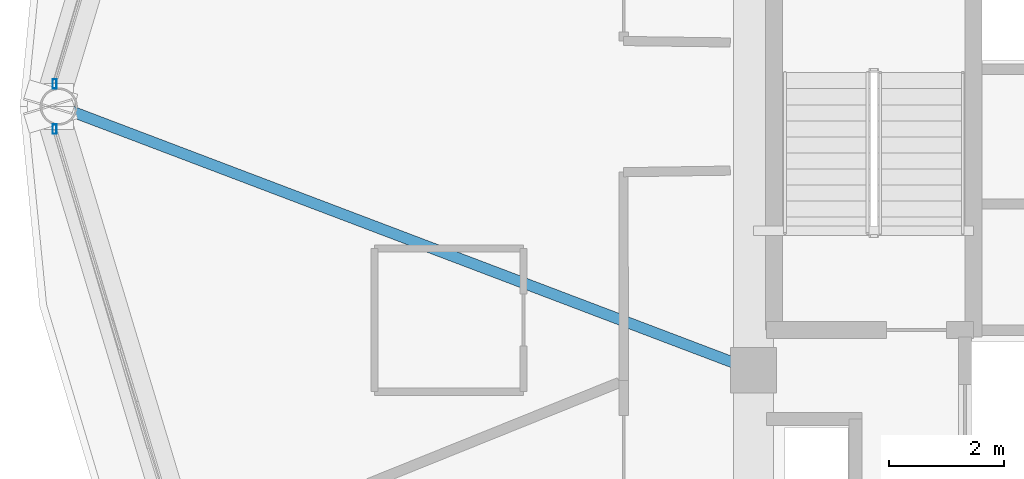
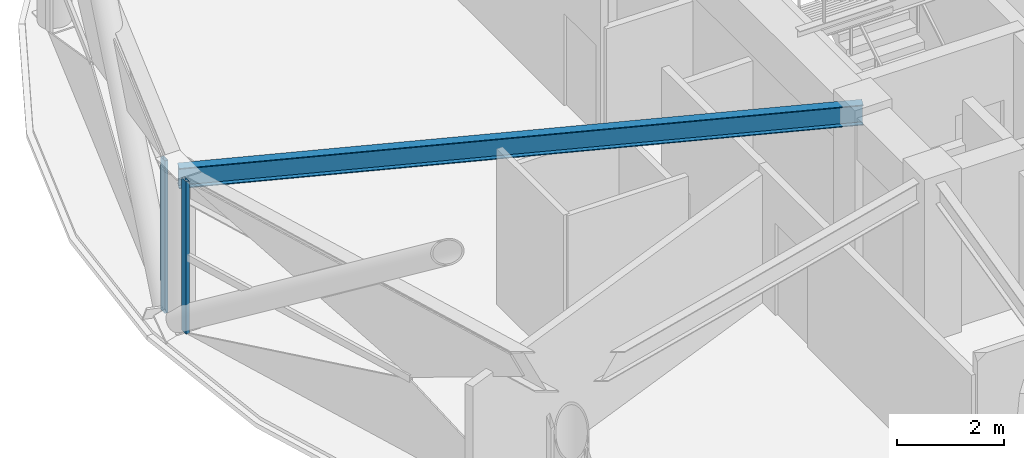
# One storey, part 7 of 28: 2 members, 1 beam, 2 elements without a shape of their own.
"""IFC4 building model written with IfcOpenShell, lengths in metres."""

from ifc_helpers import new_model, si_unit, direction, frame, origin, origin_2d, place, context, subcontext, project, spatial, hollow_rectangle, i_section, extrude, material, layer, layer_set, material_profile, profile_set, type_object, element, aggregate, save


model = new_model("IFC4")

# Units and contexts
model_context = context("Model", 3, precision=1e-05, world=origin(), true_north=direction((0.0, 1.0)))
body_context = subcontext(model_context, "Body", "Model", "MODEL_VIEW")
ifc_project = project(units=[si_unit("LENGTHUNIT", "METRE"), si_unit("AREAUNIT", "SQUARE_METRE"), si_unit("VOLUMEUNIT", "CUBIC_METRE"), si_unit("PLANEANGLEUNIT", "RADIAN"), si_unit("MASSUNIT", "GRAM", prefix="KILO")], contexts=[model_context])

# Site, building, storey
site_placement = place(None, origin())
site = spatial("IfcSite", under=ifc_project, at=site_placement, CompositionType="ELEMENT")
building_placement = place(site_placement, origin())
building = spatial("IfcBuilding", under=site, at=building_placement, Name="Vantalir Tower", CompositionType="ELEMENT")
storey_placement = place(building_placement, frame((0.0, 0.0, 242.39990234375)))
storey = spatial("IfcBuildingStorey", under=building, at=storey_placement, Name="L61", CompositionType="ELEMENT", Elevation=242.39990234375)

# Beam
ifc_material_1 = material(Name="Steel S355", Category="steel")
ifc_material_profile_1 = material_profile(ifc_material_1, i_section(OverallWidth=0.19189453125, OverallDepth=0.462890625, WebThickness=0.010498046875, FlangeThickness=0.017578125, at=origin_2d()), Name="Steel S355")
ifc_profile_set_1 = profile_set([ifc_material_profile_1], Name="Steel S355")
beam_type = type_object("IfcBeamType", Name="BM-RB-457x191", PredefinedType="BEAM", material=ifc_profile_set_1)
beam_placement = place(storey_placement, frame((9.781982421875, 25.0, 3.338134765625), z_axis=(0.934904236312, -0.354900083018, 0.0), x_axis=(0.354900083018, 0.934904236312, 0.0)))
element("IfcBeam", 1, at=beam_placement, inside=storey, type_object=beam_type, Name="L61 Radial Floor Beam 07", PredefinedType="BEAM", context=body_context, shape_type="SweptSolid", body=[
    extrude(i_section(OverallWidth=0.19189453125, OverallDepth=0.462890625, WebThickness=0.010498046875, FlangeThickness=0.017578125, at=origin_2d()), origin(), (0.0, 0.0, 1.0), 12.961669921875),
])

# Curtain wall, member
ifc_material_2 = material(Name="Champagne-silver PVDF aluminium and double-silver Low-E glass", Category="aluminium")
ifc_layer = layer(ifc_material_2, 0.2099609375)
ifc_layer_set = layer_set([ifc_layer], Name="Champagne-silver PVDF aluminium and double-silver Low-E glass")
curtain_wall_type = type_object("IfcCurtainWallType", Name="CW-DIAMOND-Z3", PredefinedType="USERDEFINED", material=ifc_layer_set)
curtain_wall_1_placement = place(storey_placement, origin())
curtain_wall_1 = element("IfcCurtainWall", 2, at=curtain_wall_1_placement, inside=storey, type_object=curtain_wall_type, Name="L61 Quilted Pyramid-Diamond Curtain Wall S06", ObjectType="UNITISED CURTAIN WALL", PredefinedType="USERDEFINED")
ifc_material_3 = material(Name="Champagne-silver PVDF aluminium 6063-T6", Category="aluminium")
ifc_material_profile_2 = material_profile(ifc_material_3, hollow_rectangle(XDim=0.070068359375, YDim=0.1650390625, WallThickness=0.00390625, at=origin_2d()), Name="Champagne-silver PVDF aluminium 6063-T6")
ifc_profile_set_2 = profile_set([ifc_material_profile_2], Name="Champagne-silver PVDF aluminium 6063-T6")
member_type = type_object("IfcMemberType", Name="CWM-165x70", PredefinedType="MULLION", material=ifc_profile_set_2)
member_1_placement = place(storey_placement, frame((9.7099609375, 25.39306640625, 0.045166015625), z_axis=(0.0, 0.0, 1.0), x_axis=(1.0, 0.0, 0.0)))
member_1 = element("IfcMember", 3, at=member_1_placement, type_object=member_type, Name="CW-L61-S06 Mullion 2", PredefinedType="MULLION", context=body_context, shape_type="SweptSolid", body=[
    extrude(hollow_rectangle(XDim=0.070068359375, YDim=0.1650390625, WallThickness=0.00390625, at=origin_2d()), origin(), (0.0, 0.0, 1.0), 3.47998046875),
])
aggregate(curtain_wall_1, [member_1])

curtain_wall_2_placement = place(storey_placement, origin())
curtain_wall_2 = element("IfcCurtainWall", 4, at=curtain_wall_2_placement, inside=storey, type_object=curtain_wall_type, Name="L61 Quilted Pyramid-Diamond Curtain Wall S07", ObjectType="UNITISED CURTAIN WALL", PredefinedType="USERDEFINED")
member_2_placement = place(storey_placement, frame((9.7099609375, 24.60693359375, 0.045166015625), z_axis=(0.0, 0.0, 1.0), x_axis=(1.0, 0.0, 0.0)))
member_2 = element("IfcMember", 5, at=member_2_placement, type_object=member_type, Name="CW-L61-S07 Mullion 1", PredefinedType="MULLION", context=body_context, shape_type="SweptSolid", body=[
    extrude(hollow_rectangle(XDim=0.070068359375, YDim=0.1650390625, WallThickness=0.00390625, at=origin_2d()), origin(), (0.0, 0.0, 1.0), 3.47998046875),
])
aggregate(curtain_wall_2, [member_2])

save(model, "model.ifc")
